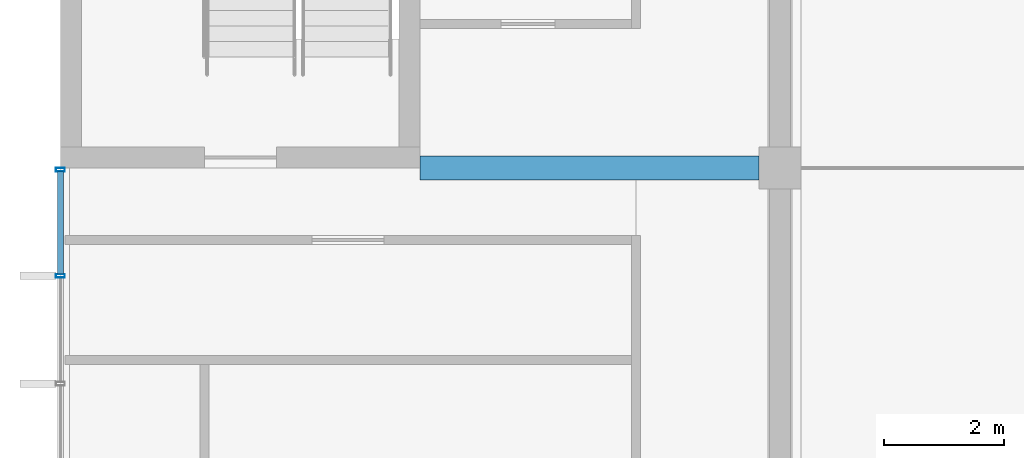
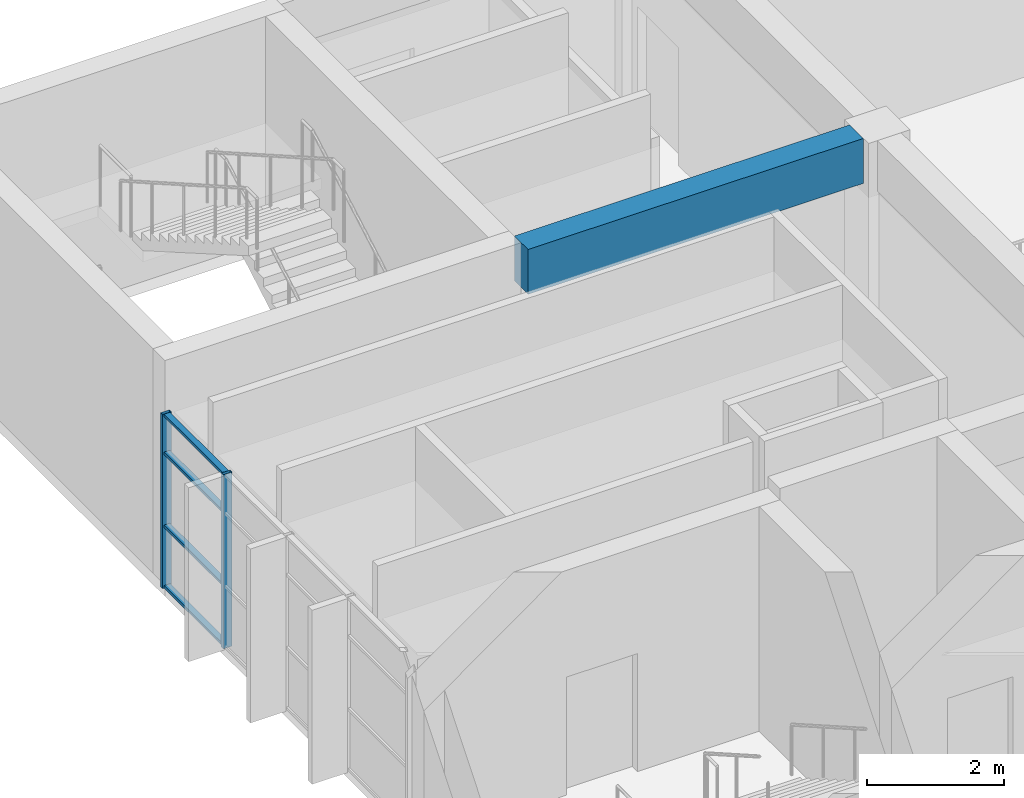
# One storey, part 25 of 92: 6 members, 1 beam, 1 element without a shape of its own.
"""IFC4 building model written with IfcOpenShell, lengths in metres."""

from ifc_helpers import new_model, si_unit, direction, frame, origin, origin_2d, place, context, subcontext, project, spatial, rectangle, hollow_rectangle, extrude, material, material_profile, profile_set, type_object, element, aggregate, save


model = new_model("IFC4")

# Units and contexts
model_context = context("Model", 3, precision=1e-05, world=origin(), true_north=direction((0.0, 1.0)))
body_context = subcontext(model_context, "Body", "Model", "MODEL_VIEW")
ifc_project = project(units=[si_unit("LENGTHUNIT", "METRE"), si_unit("AREAUNIT", "SQUARE_METRE"), si_unit("VOLUMEUNIT", "CUBIC_METRE"), si_unit("PLANEANGLEUNIT", "RADIAN"), si_unit("MASSUNIT", "GRAM", prefix="KILO")], contexts=[model_context])

# Site, building, storey
site_placement = place(None, origin())
site = spatial("IfcSite", under=ifc_project, at=site_placement, CompositionType="ELEMENT")
building_placement = place(site_placement, origin())
building = spatial("IfcBuilding", under=site, at=building_placement, Name="Laocheng Heights Fire and Rescue Headquarters", CompositionType="ELEMENT")
storey_placement = place(building_placement, frame((0.0, 0.0, 12.60009765625)))
storey = spatial("IfcBuildingStorey", under=building, at=storey_placement, Name="L03", CompositionType="ELEMENT", Elevation=12.60009765625)

# Curtain wall, members
ifc_material_1 = material(Name="Dark anodised aluminium unitised curtain wall, low-e double glazing", Category="aluminium")
curtain_wall_type = type_object("IfcCurtainWallType", Name="CW 7200 x 3100 FOYER GLAZING", PredefinedType="NOTDEFINED", material=ifc_material_1)
curtain_wall_placement = place(storey_placement, origin())
curtain_wall = element("IfcCurtainWall", 1, at=curtain_wall_placement, inside=storey, type_object=curtain_wall_type, Name="X3-V FOYER WEST L03", PredefinedType="NOTDEFINED")
ifc_material_2 = material(Name="Dark anodised aluminium 6063-T5 extrusion", Category="aluminium")
ifc_material_profile_1 = material_profile(ifc_material_2, hollow_rectangle(XDim=0.14990234375, YDim=0.06005859375, WallThickness=0.0029296875, at=origin_2d()), Name="AL MULLION 150x60x3 FOYER GLAZING")
ifc_profile_set_1 = profile_set([ifc_material_profile_1], Name="Dark anodised aluminium 6063-T5 extrusion")
member_type_1 = type_object("IfcMemberType", Name="AL MULLION 150x60x3 FOYER GLAZING", PredefinedType="MULLION", material=ifc_profile_set_1)
member_1_placement = place(storey_placement, frame((0.0, 48.60009765625, 0.0), z_axis=(0.0, 0.0, 1.0), x_axis=(-1.0, 0.0, 0.0)))
member_1 = element("IfcMember", 2, at=member_1_placement, type_object=member_type_1, Name="X3-V mullion 4", PredefinedType="MULLION", context=body_context, shape_type="SweptSolid", body=[
    extrude(hollow_rectangle(XDim=0.14990234375, YDim=0.06005859375, WallThickness=0.0029296875, at=origin_2d()), origin(), (0.0, 0.0, 1.0), 3.099853515625),
])
member_2_placement = place(storey_placement, frame((0.0, 50.3701171875, 0.0), z_axis=(0.0, 0.0, 1.0), x_axis=(-1.0, 0.0, 0.0)))
member_2 = element("IfcMember", 3, at=member_2_placement, type_object=member_type_1, Name="X3-V mullion 5", PredefinedType="MULLION", context=body_context, shape_type="SweptSolid", body=[
    extrude(hollow_rectangle(XDim=0.14990234375, YDim=0.06005859375, WallThickness=0.0029296875, at=origin_2d()), origin(), (0.0, 0.0, 1.0), 3.099853515625),
])
ifc_material_3 = material(Name="Dark anodised aluminium 6063-T5 extrusion", Category="aluminium")
ifc_material_profile_2 = material_profile(ifc_material_3, hollow_rectangle(XDim=0.10009765625, YDim=0.050048828125, WallThickness=0.0029296875, at=origin_2d()), Name="AL TRANSOM 100x50x3 FOYER GLAZING")
ifc_profile_set_2 = profile_set([ifc_material_profile_2], Name="Dark anodised aluminium 6063-T5 extrusion")
member_type_2 = type_object("IfcMemberType", Name="AL TRANSOM 100x50x3 FOYER GLAZING", PredefinedType="USERDEFINED", material=ifc_profile_set_2)
member_3_placement = place(storey_placement, frame((0.0, 48.6298828125, 0.02490234375), z_axis=(0.0, 1.0, 0.0), x_axis=(-1.0, 0.0, 0.0)))
member_3 = element("IfcMember", 4, at=member_3_placement, type_object=member_type_2, Name="X3-V transom 4.1", ObjectType="TRANSOM", PredefinedType="USERDEFINED", context=body_context, shape_type="SweptSolid", body=[
    extrude(hollow_rectangle(XDim=0.10009765625, YDim=0.050048828125, WallThickness=0.0029296875, at=origin_2d()), origin(), (0.0, 0.0, 1.0), 1.710205078125),
])
member_4_placement = place(storey_placement, frame((0.0, 48.6298828125, 1.099853515625), z_axis=(0.0, 1.0, 0.0), x_axis=(-1.0, 0.0, 0.0)))
member_4 = element("IfcMember", 5, at=member_4_placement, type_object=member_type_2, Name="X3-V transom 4.2", ObjectType="TRANSOM", PredefinedType="USERDEFINED", context=body_context, shape_type="SweptSolid", body=[
    extrude(hollow_rectangle(XDim=0.10009765625, YDim=0.050048828125, WallThickness=0.0029296875, at=origin_2d()), origin(), (0.0, 0.0, 1.0), 1.710205078125),
])
member_5_placement = place(storey_placement, frame((0.0, 48.6298828125, 2.39990234375), z_axis=(0.0, 1.0, 0.0), x_axis=(-1.0, 0.0, 0.0)))
member_5 = element("IfcMember", 6, at=member_5_placement, type_object=member_type_2, Name="X3-V transom 4.3", ObjectType="TRANSOM", PredefinedType="USERDEFINED", context=body_context, shape_type="SweptSolid", body=[
    extrude(hollow_rectangle(XDim=0.10009765625, YDim=0.050048828125, WallThickness=0.0029296875, at=origin_2d()), origin(), (0.0, 0.0, 1.0), 1.710205078125),
])
member_6_placement = place(storey_placement, frame((0.0, 48.6298828125, 3.074951171875), z_axis=(0.0, 1.0, 0.0), x_axis=(-1.0, 0.0, 0.0)))
member_6 = element("IfcMember", 7, at=member_6_placement, type_object=member_type_2, Name="X3-V transom 4.4", ObjectType="TRANSOM", PredefinedType="USERDEFINED", context=body_context, shape_type="SweptSolid", body=[
    extrude(hollow_rectangle(XDim=0.10009765625, YDim=0.050048828125, WallThickness=0.0029296875, at=origin_2d()), origin(), (0.0, 0.0, 1.0), 1.710205078125),
])
aggregate(curtain_wall, [member_1, member_2, member_3, member_4, member_5, member_6])

# Beam
ifc_material_4 = material(Name="Concrete C40", Category="concrete")
ifc_material_profile_3 = material_profile(ifc_material_4, rectangle(XDim=0.39990234375, YDim=0.800048828125, at=origin_2d()), Name="RC BEAM 400x800 FOYER")
ifc_profile_set_3 = profile_set([ifc_material_profile_3], Name="Concrete C40")
beam_type = type_object("IfcBeamType", Name="RC BEAM 400x800 FOYER", PredefinedType="BEAM", material=ifc_profile_set_3)
beam_placement = place(storey_placement, frame((6.0, 50.39990234375, 3.599853515625), z_axis=(1.0, 0.0, 0.0), x_axis=(0.0, 1.0, 0.0)))
element("IfcBeam", 8, at=beam_placement, inside=storey, type_object=beam_type, Name="Foyer beam L03", PredefinedType="BEAM", context=body_context, shape_type="SweptSolid", body=[
    extrude(rectangle(XDim=0.39990234375, YDim=0.800048828125, at=origin_2d()), origin(), (0.0, 0.0, 1.0), 5.64990234375),
])

save(model, "model.ifc")
